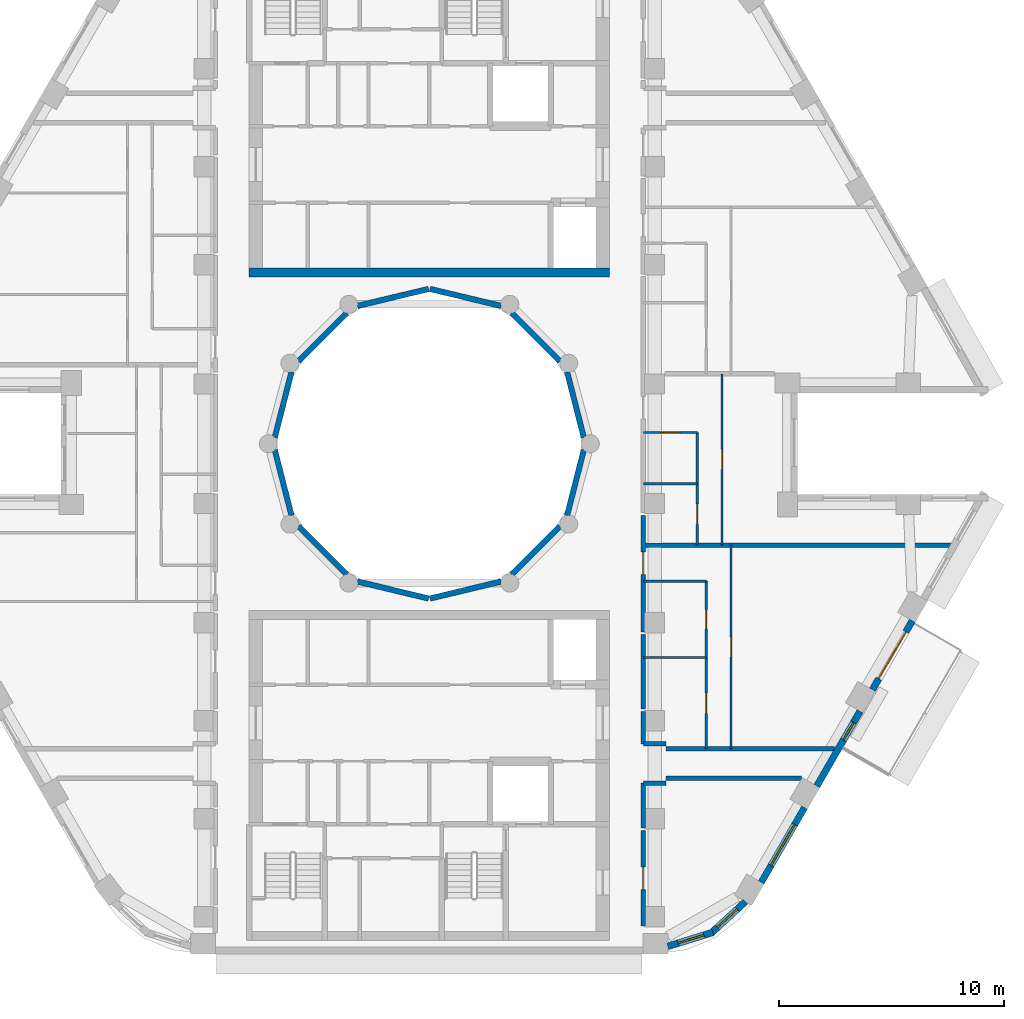
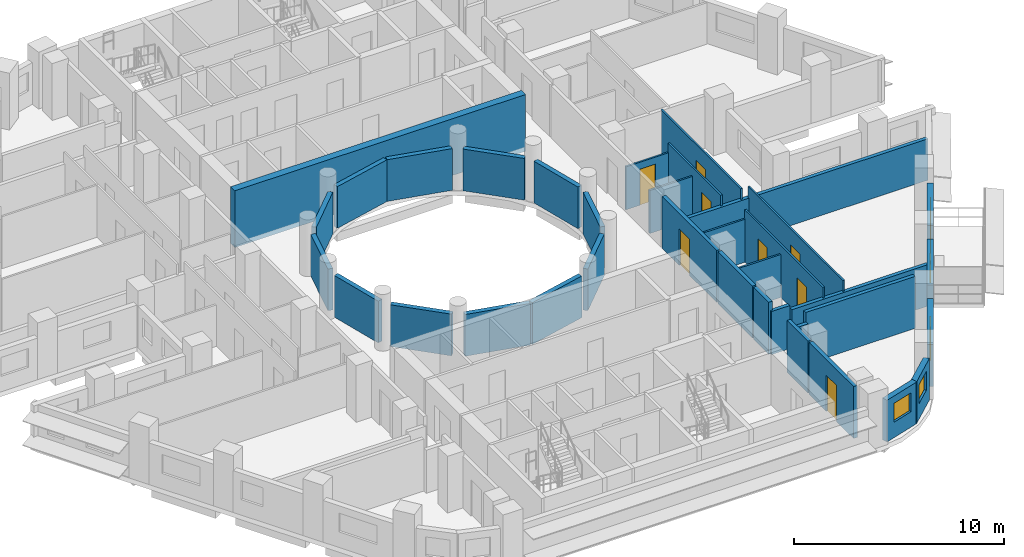
# One storey, part 5 of 14: 36 walls, 9 doors, 4 windows, 13 openings.
"""IFC4 building model written with IfcOpenShell, lengths in metres."""

from ifc_helpers import new_model, si_unit, direction, frame, frame_2d, origin, place, context, subcontext, project, spatial, rectangle, extrude, material, layer, layer_set, type_object, element, fill, save


model = new_model("IFC4")

# Units and contexts
model_context = context("Model", 3, precision=1e-05, world=origin(), true_north=direction((0.0, 1.0)))
body_context = subcontext(model_context, "Body", "Model", "MODEL_VIEW")
ifc_project = project(units=[si_unit("LENGTHUNIT", "METRE"), si_unit("AREAUNIT", "SQUARE_METRE"), si_unit("VOLUMEUNIT", "CUBIC_METRE"), si_unit("PLANEANGLEUNIT", "RADIAN"), si_unit("MASSUNIT", "GRAM", prefix="KILO")], contexts=[model_context])

# Site, building, storey
site_placement = place(None, origin())
site = spatial("IfcSite", under=ifc_project, at=site_placement, CompositionType="ELEMENT")
building_placement = place(site_placement, origin())
building = spatial("IfcBuilding", under=site, at=building_placement, Name="Nakaniwa Court", CompositionType="ELEMENT")
storey_placement = place(building_placement, frame((0.0, 0.0, 265.800048828125)))
storey = spatial("IfcBuildingStorey", under=building, at=storey_placement, Name="L70", CompositionType="ELEMENT", Elevation=265.800048828125)

# Wall, opening, door
ifc_material_1 = material(Name="Acoustic double stud partition")
ifc_layer_1 = layer(ifc_material_1, 0.199951171875)
ifc_layer_set_1 = layer_set([ifc_layer_1], Name="Acoustic double stud partition")
wall_type_1 = type_object("IfcWallType", Name="Acoustic double stud partition 200", PredefinedType="PARTITIONING", material=ifc_layer_set_1)
wall_1_placement = place(storey_placement, frame((89.5, 62.822998046875, 0.0), z_axis=(0.0, 0.0, 1.0), x_axis=(0.0, -1.0, 0.0)))
wall_1 = element("IfcWall", 1, at=wall_1_placement, inside=storey, type_object=wall_type_1, Name="Partition PW-057", PredefinedType="PARTITIONING", context=body_context, shape_type="SweptSolid", body=[
    extrude(rectangle(XDim=4.236083984375, YDim=0.199951171875, at=frame_2d((2.1181640625, 0.0))), origin(), (0.0, 0.0, 1.0), 3.02490234375),
])
opening_1_placement = place(wall_1_placement, frame((1.617919921875, 0.0, 0.0)))
opening_1 = element("IfcOpeningElement", 2, at=opening_1_placement, cuts=wall_1, Name="Opening D-02-03", PredefinedType="OPENING", context=body_context, shape_type="SweptSolid", body=[
    extrude(rectangle(XDim=1.0, YDim=2.10009765625, at=frame_2d((0.5, 1.050048828125))), frame((0.0, 0.10986328125, 0.0), z_axis=(0.0, -1.0, 0.0), x_axis=(1.0, 0.0, 0.0)), (0.0, 0.0, 1.0), 0.219970703125),
])
ifc_material_2 = material(Name="Solid core timber door set, black veneer", Category="wood")
door_type_1 = type_object("IfcDoorType", Name="Internal door 1000", OperationType="NOTDEFINED", PredefinedType="DOOR", material=ifc_material_2)
door_1_placement = place(opening_1_placement, origin())
door_1 = element("IfcDoor", 3, at=door_1_placement, inside=storey, type_object=door_type_1, Name="Door D-02-03 L70-055", OperationType="SINGLE_SWING_RIGHT", OverallHeight=2.10009765625, OverallWidth=1.0, PredefinedType="DOOR", context=body_context, shape_type="SweptSolid", body=[
    extrude(rectangle(XDim=1.0, YDim=2.10009765625, at=frame_2d((0.5, 1.050048828125))), frame((0.0, 0.02490234375, 0.0), z_axis=(0.0, -1.0, 0.0), x_axis=(1.0, 0.0, 0.0)), (0.0, 0.0, 1.0), 0.050048828125),
])
fill(opening_1, door_1)

# Walls
wall_2_placement = place(storey_placement, frame((89.5, 62.93701171875, 0.0), z_axis=(0.0, 0.0, 1.0), x_axis=(0.0, 1.0, 0.0)))
element("IfcWall", 4, at=wall_2_placement, inside=storey, type_object=wall_type_1, Name="Partition PW-058", PredefinedType="PARTITIONING", context=body_context, shape_type="SweptSolid", body=[
    extrude(rectangle(XDim=1.990966796875, YDim=0.199951171875, at=frame_2d((0.99560546875, 0.0))), origin(), (0.0, 0.0, 1.0), 3.02490234375),
])
wall_3_placement = place(storey_placement, frame((89.5, 66.672119140625, 0.0), z_axis=(0.0, 0.0, 1.0), x_axis=(0.0, 1.0, 0.0)))
element("IfcWall", 5, at=wall_3_placement, inside=storey, type_object=wall_type_1, Name="Partition PW-059", PredefinedType="PARTITIONING", context=body_context, shape_type="SweptSolid", body=[
    extrude(rectangle(XDim=1.44091796875, YDim=0.199951171875, at=frame_2d((0.720458984375, 0.0))), origin(), (0.0, 0.0, 1.0), 3.02490234375),
])
wall_4_placement = place(storey_placement, frame((89.5, 68.22705078125, 0.0), z_axis=(0.0, 0.0, 1.0), x_axis=(0.0, 1.0, 0.0)))
element("IfcWall", 6, at=wall_4_placement, inside=storey, type_object=wall_type_1, Name="Partition PW-060", PredefinedType="PARTITIONING", context=body_context, shape_type="SweptSolid", body=[
    extrude(rectangle(XDim=3.2958984375, YDim=0.199951171875, at=frame_2d((1.64794921875, 0.0))), origin(), (0.0, 0.0, 1.0), 3.02490234375),
])

# Wall, opening, door
wall_5_placement = place(storey_placement, frame((89.5, 76.822998046875, 0.0), z_axis=(0.0, 0.0, 1.0), x_axis=(0.0, -1.0, 0.0)))
wall_5 = element("IfcWall", 7, at=wall_5_placement, inside=storey, type_object=wall_type_1, Name="Partition PW-061", PredefinedType="PARTITIONING", context=body_context, shape_type="SweptSolid", body=[
    extrude(rectangle(XDim=5.18603515625, YDim=0.199951171875, at=frame_2d((2.593017578125, 0.0))), origin(), (0.0, 0.0, 1.0), 3.02490234375),
])
opening_2_placement = place(wall_5_placement, frame((1.623046875, 0.0, 0.0)))
opening_2 = element("IfcOpeningElement", 8, at=opening_2_placement, cuts=wall_5, Name="Opening D-01-01", PredefinedType="OPENING", context=body_context, shape_type="SweptSolid", body=[
    extrude(rectangle(XDim=1.0, YDim=2.10009765625, at=frame_2d((0.5, 1.050048828125))), frame((0.0, 0.10986328125, 0.0), z_axis=(0.0, -1.0, 0.0), x_axis=(1.0, 0.0, 0.0)), (0.0, 0.0, 1.0), 0.219970703125),
])
door_type_2 = type_object("IfcDoorType", Name="Flat entrance door 1000", OperationType="NOTDEFINED", PredefinedType="DOOR", material=ifc_material_2)
door_2_placement = place(opening_2_placement, origin())
door_2 = element("IfcDoor", 9, at=door_2_placement, inside=storey, type_object=door_type_2, Name="Door D-01-01 L70-029", OperationType="SINGLE_SWING_RIGHT", OverallHeight=2.10009765625, OverallWidth=1.0, PredefinedType="DOOR", context=body_context, shape_type="SweptSolid", body=[
    extrude(rectangle(XDim=1.0, YDim=2.10009765625, at=frame_2d((0.5, 1.050048828125))), frame((0.0, 0.02490234375, 0.0), z_axis=(0.0, -1.0, 0.0), x_axis=(1.0, 0.0, 0.0)), (0.0, 0.0, 1.0), 0.050048828125),
])
fill(opening_2, door_2)

# Walls
wall_6_placement = place(storey_placement, frame((89.5, 66.675048828125, 0.0), z_axis=(0.0, 0.0, 1.0), x_axis=(1.0, 0.0, 0.0)))
element("IfcWall", 10, at=wall_6_placement, inside=storey, type_object=wall_type_1, Name="Partition PW-077", PredefinedType="PARTITIONING", context=body_context, shape_type="SweptSolid", body=[
    extrude(rectangle(XDim=1.0, YDim=0.199951171875, at=frame_2d((0.5, 0.0))), origin(), (0.0, 0.0, 1.0), 2.5048828125),
])
wall_7_placement = place(storey_placement, frame((90.5, 66.449951171875, 0.0), z_axis=(0.0, 0.0, 1.0), x_axis=(1.0, 0.0, 0.0)))
element("IfcWall", 11, at=wall_7_placement, inside=storey, type_object=wall_type_1, Name="Partition PW-079", PredefinedType="PARTITIONING", context=body_context, shape_type="SweptSolid", body=[
    extrude(rectangle(XDim=7.484619140625, YDim=0.199951171875, at=frame_2d((3.7421875, 0.0))), origin(), (0.0, 0.0, 1.0), 2.405029296875),
])
wall_8_placement = place(storey_placement, frame((90.5, 65.14990234375, 0.0), z_axis=(0.0, 0.0, 1.0), x_axis=(1.0, 0.0, 0.0)))
element("IfcWall", 12, at=wall_8_placement, inside=storey, type_object=wall_type_1, Name="Partition PW-081", PredefinedType="PARTITIONING", context=body_context, shape_type="SweptSolid", body=[
    extrude(rectangle(XDim=6.02099609375, YDim=0.199951171875, at=frame_2d((3.010498046875, 0.0))), origin(), (0.0, 0.0, 1.0), 3.02490234375),
])
wall_9_placement = place(storey_placement, frame((89.5, 64.925048828125, 0.0), z_axis=(0.0, 0.0, 1.0), x_axis=(1.0, 0.0, 0.0)))
element("IfcWall", 13, at=wall_9_placement, inside=storey, type_object=wall_type_1, Name="Partition PW-083", PredefinedType="PARTITIONING", context=body_context, shape_type="SweptSolid", body=[
    extrude(rectangle(XDim=1.0, YDim=0.199951171875, at=frame_2d((0.5, 0.0))), origin(), (0.0, 0.0, 1.0), 2.5048828125),
])
wall_10_placement = place(storey_placement, frame((89.5, 75.5, 0.0), z_axis=(0.0, 0.0, 1.0), x_axis=(1.0, 0.0, 0.0)))
element("IfcWall", 14, at=wall_10_placement, inside=storey, type_object=wall_type_1, Name="Partition PW-103", PredefinedType="PARTITIONING", context=body_context, shape_type="SweptSolid", body=[
    extrude(rectangle(XDim=13.70947265625, YDim=0.199951171875, at=frame_2d((6.854736328125, 0.0))), origin(), (0.0, 0.0, 1.0), 2.405029296875),
])

# Wall, opening, window
ifc_material_3 = material(Name="Charcoal ceramic cladding")
ifc_layer_2 = layer(ifc_material_3, 0.02, Name="Ceramic cladding")
ifc_material_4 = material(Name="Ventilated air cavity")
ifc_layer_3 = layer(ifc_material_4, 0.04, ventilated=True, Name="Ventilated cavity")
ifc_material_5 = material(Name="Mineral wool insulation")
ifc_layer_4 = layer(ifc_material_5, 0.1, Name="Insulation")
ifc_material_6 = material(Name="Cement bonded sheathing board")
ifc_layer_5 = layer(ifc_material_6, 0.012, Name="Sheathing")
ifc_material_7 = material(Name="Cold-formed galvanised stud frame with mineral wool infill")
ifc_layer_6 = layer(ifc_material_7, 0.1, Name="Stud frame")
ifc_material_8 = material(Name="Fire-rated gypsum plasterboard lining")
ifc_layer_7 = layer(ifc_material_8, 0.028, Name="Lining")
ifc_layer_set_2 = layer_set([ifc_layer_2, ifc_layer_3, ifc_layer_4, ifc_layer_5, ifc_layer_6, ifc_layer_7], Name="Charcoal ceramic faced external wall system")
wall_type_2 = type_object("IfcWallType", Name="Black ceramic faced external wall 300", PredefinedType="SOLIDWALL", material=ifc_layer_set_2)
wall_11_placement = place(storey_placement, frame((90.585693359375, 57.68408203125, 0.0), z_axis=(0.0, 0.0, 1.0), x_axis=(0.954941641926, 0.296793632875, 0.0)))
wall_11 = element("IfcWall", 15, at=wall_11_placement, inside=storey, type_object=wall_type_2, Name="L70 external wall 27", PredefinedType="SOLIDWALL", context=body_context, shape_type="SweptSolid", body=[
    extrude(rectangle(XDim=2.1025390625, YDim=0.300048828125, at=frame_2d((1.05126953125, 0.0))), origin(), (0.0, 0.0, 1.0), 2.425048828125),
])
opening_3_placement = place(wall_11_placement, frame((0.490234375, 0.0, 0.89990234375)))
opening_3 = element("IfcOpeningElement", 16, at=opening_3_placement, cuts=wall_11, Name="Opening W6.26", PredefinedType="OPENING", context=body_context, shape_type="SweptSolid", body=[
    extrude(rectangle(XDim=1.199951171875, YDim=1.10009765625, at=frame_2d((0.60009765625, 0.550048828125))), frame((0.0, 0.159912109375, 0.0), z_axis=(0.0, -1.0, 0.0), x_axis=(1.0, 0.0, 0.0)), (0.0, 0.0, 1.0), 0.320068359375),
])
ifc_material_9 = material(Name="Black anodised aluminium frame with dark low-E laminated double glazing", Category="aluminium")
window_type_1 = type_object("IfcWindowType", Name="Dark glass window 1200x1100 sill 900", PartitioningType="SINGLE_PANEL", PredefinedType="WINDOW", material=ifc_material_9)
window_1_placement = place(opening_3_placement, origin())
window_1 = element("IfcWindow", 17, at=window_1_placement, inside=storey, type_object=window_type_1, Name="L70 habitable room window 27-0", OverallHeight=1.10009765625, OverallWidth=1.199951171875, PartitioningType="SINGLE_PANEL", PredefinedType="WINDOW", context=body_context, shape_type="SweptSolid", body=[
    extrude(rectangle(XDim=1.199951171875, YDim=1.10009765625, at=frame_2d((0.60009765625, 0.550048828125))), frame((0.0, 0.030029296875, 0.0), z_axis=(0.0, -1.0, 0.0), x_axis=(1.0, 0.0, 0.0)), (0.0, 0.0, 1.0), 0.06005859375),
])
fill(opening_3, window_1)

wall_12_placement = place(storey_placement, frame((92.489501953125, 58.247314453125, 0.0), z_axis=(0.0, 0.0, 1.0), x_axis=(0.734830223907, 0.678251090698, 0.0)))
wall_12 = element("IfcWall", 18, at=wall_12_placement, inside=storey, type_object=wall_type_2, Name="L70 external wall 28", PredefinedType="SOLIDWALL", context=body_context, shape_type="SweptSolid", body=[
    extrude(rectangle(XDim=2.09716796875, YDim=0.300048828125, at=frame_2d((1.048583984375, 0.0))), origin(), (0.0, 0.0, 1.0), 2.425048828125),
])
opening_4_placement = place(wall_12_placement, frame((0.409423828125, 0.0, 0.89990234375)))
opening_4 = element("IfcOpeningElement", 19, at=opening_4_placement, cuts=wall_12, Name="Opening W6.27", PredefinedType="OPENING", context=body_context, shape_type="SweptSolid", body=[
    extrude(rectangle(XDim=1.199951171875, YDim=1.10009765625, at=frame_2d((0.60009765625, 0.550048828125))), frame((0.0, 0.159912109375, 0.0), z_axis=(0.0, -1.0, 0.0), x_axis=(1.0, 0.0, 0.0)), (0.0, 0.0, 1.0), 0.320068359375),
])
window_2_placement = place(opening_4_placement, origin())
window_2 = element("IfcWindow", 20, at=window_2_placement, inside=storey, type_object=window_type_1, Name="L70 habitable room window 28-0", OverallHeight=1.10009765625, OverallWidth=1.199951171875, PartitioningType="SINGLE_PANEL", PredefinedType="WINDOW", context=body_context, shape_type="SweptSolid", body=[
    extrude(rectangle(XDim=1.199951171875, YDim=1.10009765625, at=frame_2d((0.60009765625, 0.550048828125))), frame((0.0, 0.030029296875, 0.0), z_axis=(0.0, -1.0, 0.0), x_axis=(1.0, 0.0, 0.0)), (0.0, 0.0, 1.0), 0.06005859375),
])
fill(opening_4, window_2)

wall_13_placement = place(storey_placement, frame((94.73583984375, 60.523193359375, 0.0), z_axis=(0.0, 0.0, 1.0), x_axis=(0.499984490703, 0.866034357896, 0.0)))
wall_13 = element("IfcWall", 21, at=wall_13_placement, inside=storey, type_object=wall_type_2, Name="L70 external wall 29", PredefinedType="SOLIDWALL", context=body_context, shape_type="SweptSolid", body=[
    extrude(rectangle(XDim=3.84423828125, YDim=0.300048828125, at=frame_2d((1.922119140625, 0.0))), origin(), (0.0, 0.0, 1.0), 2.425048828125),
])
opening_5_placement = place(wall_13_placement, frame((0.8720703125, 0.0, 0.89990234375)))
opening_5 = element("IfcOpeningElement", 22, at=opening_5_placement, cuts=wall_13, Name="Opening W7.28", PredefinedType="OPENING", context=body_context, shape_type="SweptSolid", body=[
    extrude(rectangle(XDim=2.10009765625, YDim=1.10009765625, at=frame_2d((1.050048828125, 0.550048828125))), frame((0.0, 0.159912109375, 0.0), z_axis=(0.0, -1.0, 0.0), x_axis=(1.0, 0.0, 0.0)), (0.0, 0.0, 1.0), 0.320068359375),
])
window_type_2 = type_object("IfcWindowType", Name="Dark glass window 2100x1100 sill 900", PartitioningType="SINGLE_PANEL", PredefinedType="WINDOW", material=ifc_material_9)
window_3_placement = place(opening_5_placement, origin())
window_3 = element("IfcWindow", 23, at=window_3_placement, inside=storey, type_object=window_type_2, Name="L70 habitable room window 29-0", OverallHeight=1.10009765625, OverallWidth=2.10009765625, PartitioningType="SINGLE_PANEL", PredefinedType="WINDOW", context=body_context, shape_type="SweptSolid", body=[
    extrude(rectangle(XDim=2.10009765625, YDim=1.10009765625, at=frame_2d((1.050048828125, 0.550048828125))), frame((0.0, 0.030029296875, 0.0), z_axis=(0.0, -1.0, 0.0), x_axis=(1.0, 0.0, 0.0)), (0.0, 0.0, 1.0), 0.06005859375),
])
fill(opening_5, window_3)

wall_14_placement = place(storey_placement, frame((97.2041015625, 64.798095703125, 0.0), z_axis=(0.0, 0.0, 1.0), x_axis=(0.499984490703, 0.866034357896, 0.0)))
wall_14 = element("IfcWall", 24, at=wall_14_placement, inside=storey, type_object=wall_type_2, Name="L70 external wall 30", PredefinedType="SOLIDWALL", context=body_context, shape_type="SweptSolid", body=[
    extrude(rectangle(XDim=3.84423828125, YDim=0.300048828125, at=frame_2d((1.922119140625, 0.0))), origin(), (0.0, 0.0, 1.0), 2.425048828125),
])
opening_6_placement = place(wall_14_placement, frame((2.36474609375, 0.0, 0.89990234375)))
opening_6 = element("IfcOpeningElement", 25, at=opening_6_placement, cuts=wall_14, Name="Opening W9.29", PredefinedType="OPENING", context=body_context, shape_type="SweptSolid", body=[
    extrude(rectangle(XDim=0.89990234375, YDim=1.10009765625, at=frame_2d((0.449951171875, 0.550048828125))), frame((0.0, 0.159912109375, 0.0), z_axis=(0.0, -1.0, 0.0), x_axis=(1.0, 0.0, 0.0)), (0.0, 0.0, 1.0), 0.320068359375),
])
window_type_3 = type_object("IfcWindowType", Name="Dark glass window 900x1100 sill 900", PartitioningType="SINGLE_PANEL", PredefinedType="WINDOW", material=ifc_material_9)
window_4_placement = place(opening_6_placement, origin())
window_4 = element("IfcWindow", 26, at=window_4_placement, inside=storey, type_object=window_type_3, Name="L70 living window 30-1", OverallHeight=1.10009765625, OverallWidth=0.89990234375, PartitioningType="SINGLE_PANEL", PredefinedType="WINDOW", context=body_context, shape_type="SweptSolid", body=[
    extrude(rectangle(XDim=0.89990234375, YDim=1.10009765625, at=frame_2d((0.449951171875, 0.550048828125))), frame((0.0, 0.030029296875, 0.0), z_axis=(0.0, -1.0, 0.0), x_axis=(1.0, 0.0, 0.0)), (0.0, 0.0, 1.0), 0.06005859375),
])
fill(opening_6, window_4)

# Wall, opening, door
wall_15_placement = place(storey_placement, frame((99.672119140625, 69.072998046875, 0.0), z_axis=(0.0, 0.0, 1.0), x_axis=(0.500010404316, 0.866019396766, 0.0)))
wall_15 = element("IfcWall", 27, at=wall_15_placement, inside=storey, type_object=wall_type_2, Name="L70 external wall 31", PredefinedType="SOLIDWALL", context=body_context, shape_type="SweptSolid", body=[
    extrude(rectangle(XDim=3.54736328125, YDim=0.300048828125, at=frame_2d((1.773681640625, 0.0))), origin(), (0.0, 0.0, 1.0), 2.425048828125),
])
opening_7_placement = place(wall_15_placement, frame((0.573486328125, 0.0, 0.0)))
opening_7 = element("IfcOpeningElement", 28, at=opening_7_placement, cuts=wall_15, Name="Opening XD13.02", PredefinedType="OPENING", context=body_context, shape_type="SweptSolid", body=[
    extrude(rectangle(XDim=2.39990234375, YDim=2.0, at=frame_2d((1.199951171875, 1.0))), frame((0.0, 0.159912109375, 0.0), z_axis=(0.0, -1.0, 0.0), x_axis=(1.0, 0.0, 0.0)), (0.0, 0.0, 1.0), 0.320068359375),
])
ifc_material_10 = material(Name="Black powder-coated aluminium frame with dark laminated glass", Category="aluminium")
door_type_3 = type_object("IfcDoorType", Name="Balcony sliding door 2400x2000", OperationType="DOUBLE_DOOR_SLIDING", PredefinedType="DOOR", material=ifc_material_10)
door_3_placement = place(opening_7_placement, origin())
door_3 = element("IfcDoor", 29, at=door_3_placement, inside=storey, type_object=door_type_3, Name="L70 balcony sliding door 02", OperationType="DOUBLE_DOOR_SLIDING", OverallHeight=2.0, OverallWidth=2.39990234375, PredefinedType="DOOR", context=body_context, shape_type="SweptSolid", body=[
    extrude(rectangle(XDim=2.39990234375, YDim=2.0, at=frame_2d((1.199951171875, 1.0))), frame((0.0, 0.02490234375, 0.0), z_axis=(0.0, -1.0, 0.0), x_axis=(1.0, 0.0, 0.0)), (0.0, 0.0, 1.0), 0.050048828125),
])
fill(opening_7, door_3)

# Walls
ifc_layer_8 = layer(ifc_material_3, 0.02, Name="Ceramic cladding")
ifc_layer_9 = layer(ifc_material_4, 0.04, ventilated=True, Name="Ventilated cavity")
ifc_layer_10 = layer(ifc_material_5, 0.075, Name="Insulation")
ifc_layer_11 = layer(ifc_material_6, 0.012, Name="Sheathing")
ifc_layer_12 = layer(ifc_material_7, 0.075, Name="Stud frame")
ifc_layer_13 = layer(ifc_material_8, 0.028, Name="Lining")
ifc_layer_set_3 = layer_set([ifc_layer_8, ifc_layer_9, ifc_layer_10, ifc_layer_11, ifc_layer_12, ifc_layer_13], Name="Charcoal ceramic faced external wall system")
wall_type_3 = type_object("IfcWallType", Name="Charcoal ceramic faced well wall 250", PredefinedType="SOLIDWALL", material=ifc_layer_set_3)
wall_16_placement = place(storey_placement, frame((86.8603515625, 79.72998046875, 0.0), z_axis=(0.0, 0.0, 1.0), x_axis=(-0.247055971283, -0.969001211069, 0.0)))
element("IfcWall", 30, at=wall_16_placement, inside=storey, type_object=wall_type_3, Name="L70 external wall 36", PredefinedType="SOLIDWALL", context=body_context, shape_type="SweptSolid", body=[
    extrude(rectangle(XDim=3.010009765625, YDim=0.25, at=frame_2d((1.5048828125, 0.0))), origin(), (0.0, 0.0, 1.0), 2.425048828125),
])
wall_17_placement = place(storey_placement, frame((85.8056640625, 76.339111328125, 0.0), z_axis=(0.0, 0.0, 1.0), x_axis=(-0.707106781187, -0.707106781187, 0.0)))
element("IfcWall", 31, at=wall_17_placement, inside=storey, type_object=wall_type_3, Name="L70 external wall 37", PredefinedType="SOLIDWALL", context=body_context, shape_type="SweptSolid", body=[
    extrude(rectangle(XDim=3.033203125, YDim=0.25, at=frame_2d((1.5166015625, 0.0))), origin(), (0.0, 0.0, 1.0), 2.425048828125),
])
for number, where, z_axis, x_axis, name in (
    (32, (83.186279296875, 73.880615234375, 0.0), (0.0, 0.0, 1.0), (-0.972773113459, -0.231759508395, 0.0), "L70 external wall 38"),
    (33, (79.970947265625, 73.12841796875, 0.0), (0.0, 0.0, 1.0), (-0.972773113459, 0.231759508395, 0.0), "L70 external wall 39"),
):
    element("IfcWall", number, at=place(storey_placement, frame(where, z_axis=z_axis, x_axis=x_axis)), inside=storey, type_object=wall_type_3, Name=name, PredefinedType="SOLIDWALL", context=body_context, shape_type="SweptSolid", body=[
        extrude(rectangle(XDim=3.24560546875, YDim=0.25, at=frame_2d((1.622802734375, 0.0))), origin(), (0.0, 0.0, 1.0), 2.425048828125),
    ])
wall_18_placement = place(storey_placement, frame((76.339111328125, 74.1943359375, 0.0), z_axis=(0.0, 0.0, 1.0), x_axis=(-0.707106781187, 0.707106781187, 0.0)))
element("IfcWall", 34, at=wall_18_placement, inside=storey, type_object=wall_type_3, Name="L70 external wall 40", PredefinedType="SOLIDWALL", context=body_context, shape_type="SweptSolid", body=[
    extrude(rectangle(XDim=3.033203125, YDim=0.25, at=frame_2d((1.5166015625, 0.0))), origin(), (0.0, 0.0, 1.0), 2.425048828125),
])
for number, where, z_axis, x_axis, name in (
    (35, (73.88330078125, 76.813232421875, 0.0), (0.0, 0.0, 1.0), (-0.247055971283, 0.969001211069, 0.0), "L70 external wall 41"),
    (36, (73.1396484375, 80.27001953125, 0.0), (0.0, 0.0, 1.0), (0.247055971283, 0.969001211069, 0.0), "L70 external wall 42"),
):
    element("IfcWall", number, at=place(storey_placement, frame(where, z_axis=z_axis, x_axis=x_axis)), inside=storey, type_object=wall_type_3, Name=name, PredefinedType="SOLIDWALL", context=body_context, shape_type="SweptSolid", body=[
        extrude(rectangle(XDim=3.010009765625, YDim=0.25, at=frame_2d((1.5048828125, 0.0))), origin(), (0.0, 0.0, 1.0), 2.425048828125),
    ])
wall_19_placement = place(storey_placement, frame((74.1943359375, 83.660888671875, 0.0), z_axis=(0.0, 0.0, 1.0), x_axis=(0.707106781187, 0.707106781187, 0.0)))
element("IfcWall", 37, at=wall_19_placement, inside=storey, type_object=wall_type_3, Name="L70 external wall 43", PredefinedType="SOLIDWALL", context=body_context, shape_type="SweptSolid", body=[
    extrude(rectangle(XDim=3.033203125, YDim=0.25, at=frame_2d((1.5166015625, 0.0))), origin(), (0.0, 0.0, 1.0), 2.425048828125),
])
for number, where, z_axis, x_axis, name in (
    (38, (76.813720703125, 86.119384765625, 0.0), (0.0, 0.0, 1.0), (0.972773113459, 0.231759508395, 0.0), "L70 external wall 44"),
    (39, (80.029052734375, 86.87158203125, 0.0), (0.0, 0.0, 1.0), (0.972773113459, -0.231759508395, 0.0), "L70 external wall 45"),
):
    element("IfcWall", number, at=place(storey_placement, frame(where, z_axis=z_axis, x_axis=x_axis)), inside=storey, type_object=wall_type_3, Name=name, PredefinedType="SOLIDWALL", context=body_context, shape_type="SweptSolid", body=[
        extrude(rectangle(XDim=3.24560546875, YDim=0.25, at=frame_2d((1.622802734375, 0.0))), origin(), (0.0, 0.0, 1.0), 2.425048828125),
    ])
wall_20_placement = place(storey_placement, frame((83.660888671875, 85.8056640625, 0.0), z_axis=(0.0, 0.0, 1.0), x_axis=(0.707106781187, -0.707106781187, 0.0)))
element("IfcWall", 40, at=wall_20_placement, inside=storey, type_object=wall_type_3, Name="L70 external wall 46", PredefinedType="SOLIDWALL", context=body_context, shape_type="SweptSolid", body=[
    extrude(rectangle(XDim=3.033203125, YDim=0.25, at=frame_2d((1.5166015625, 0.0))), origin(), (0.0, 0.0, 1.0), 2.425048828125),
])
wall_21_placement = place(storey_placement, frame((86.11669921875, 83.186767578125, 0.0), z_axis=(0.0, 0.0, 1.0), x_axis=(0.247055971283, -0.969001211069, 0.0)))
element("IfcWall", 41, at=wall_21_placement, inside=storey, type_object=wall_type_3, Name="L70 external wall 47", PredefinedType="SOLIDWALL", context=body_context, shape_type="SweptSolid", body=[
    extrude(rectangle(XDim=3.010009765625, YDim=0.25, at=frame_2d((1.5048828125, 0.0))), origin(), (0.0, 0.0, 1.0), 2.425048828125),
])
ifc_material_11 = material(Name="Concrete C80/100", Category="concrete")
ifc_layer_14 = layer(ifc_material_11, 0.39990234375)
ifc_layer_set_4 = layer_set([ifc_layer_14], Name="Concrete C80/100")
wall_type_4 = type_object("IfcWallType", Name="Concrete core well wall 400 C80", PredefinedType="SHEAR", material=ifc_layer_set_4)
wall_22_placement = place(storey_placement, frame((72.00390625, 87.60009765625, -0.275146484375), z_axis=(0.0, 0.0, 1.0), x_axis=(1.0, 0.0, 0.0)))
element("IfcWall", 42, at=wall_22_placement, inside=storey, type_object=wall_type_4, Name="Core wall SW-126", PredefinedType="SHEAR", context=body_context, shape_type="SweptSolid", body=[
    extrude(rectangle(XDim=15.9921875, YDim=0.39990234375, at=frame_2d((7.99609375, 0.0))), origin(), (0.0, 0.0, 1.0), 3.300048828125),
])
ifc_material_12 = material(Name="Single stud plasterboard partition")
ifc_layer_15 = layer(ifc_material_12, 0.10009765625)
ifc_layer_set_5 = layer_set([ifc_layer_15], Name="Single stud plasterboard partition")
wall_type_5 = type_object("IfcWallType", Name="Single stud plasterboard partition 100", PredefinedType="PARTITIONING", material=ifc_layer_set_5)
wall_23_placement = place(storey_placement, frame((89.5, 70.513916015625, 0.0), z_axis=(0.0, 0.0, 1.0), x_axis=(1.0, 0.0, 0.0)))
element("IfcWall", 43, at=wall_23_placement, inside=storey, type_object=wall_type_5, Name="Partition PW-097", PredefinedType="PARTITIONING", context=body_context, shape_type="SweptSolid", body=[
    extrude(rectangle(XDim=2.800048828125, YDim=0.10009765625, at=frame_2d((1.39990234375, 0.0))), origin(), (0.0, 0.0, 1.0), 2.5048828125),
])

# Wall, openings, doors
wall_24_placement = place(storey_placement, frame((92.300048828125, 66.449951171875, 0.0), z_axis=(0.0, 0.0, 1.0), x_axis=(0.0, 1.0, 0.0)))
wall_24 = element("IfcWall", 44, at=wall_24_placement, inside=storey, type_object=wall_type_5, Name="Partition PW-098", PredefinedType="PARTITIONING", context=body_context, shape_type="SweptSolid", body=[
    extrude(rectangle(XDim=7.449951171875, YDim=0.10009765625, at=frame_2d((3.72509765625, 0.0))), origin(), (0.0, 0.0, 1.0), 3.02490234375),
])
opening_8_placement = place(wall_24_placement, frame((1.58203125, 0.0, 0.0)))
opening_8 = element("IfcOpeningElement", 45, at=opening_8_placement, cuts=wall_24, Name="Opening D-33-01", PredefinedType="OPENING", context=body_context, shape_type="SweptSolid", body=[
    extrude(rectangle(XDim=0.89990234375, YDim=2.10009765625, at=frame_2d((0.449951171875, 1.050048828125))), frame((0.0, 0.06005859375, 0.0), z_axis=(0.0, -1.0, 0.0), x_axis=(1.0, 0.0, 0.0)), (0.0, 0.0, 1.0), 0.1201171875),
])
opening_9_placement = place(wall_24_placement, frame((5.33203125, 0.0, 0.0)))
opening_9 = element("IfcOpeningElement", 46, at=opening_9_placement, cuts=wall_24, Name="Opening D-03-01", PredefinedType="OPENING", context=body_context, shape_type="SweptSolid", body=[
    extrude(rectangle(XDim=0.85009765625, YDim=2.10009765625, at=frame_2d((0.425048828125, 1.050048828125))), frame((0.0, 0.06005859375, 0.0), z_axis=(0.0, -1.0, 0.0), x_axis=(1.0, 0.0, 0.0)), (0.0, 0.0, 1.0), 0.1201171875),
])
ifc_material_13 = material(Name="Moisture sealed timber door set", Category="wood")
door_type_4 = type_object("IfcDoorType", Name="Bathroom door 850", OperationType="NOTDEFINED", PredefinedType="DOOR", material=ifc_material_13)
door_4_placement = place(opening_9_placement, origin())
door_4 = element("IfcDoor", 47, at=door_4_placement, inside=storey, type_object=door_type_4, Name="Door D-03-01 L70-031", OperationType="SINGLE_SWING_RIGHT", OverallHeight=2.10009765625, OverallWidth=0.85009765625, PredefinedType="DOOR", context=body_context, shape_type="SweptSolid", body=[
    extrude(rectangle(XDim=0.85009765625, YDim=2.10009765625, at=frame_2d((0.425048828125, 1.050048828125))), frame((0.0, 0.02490234375, 0.0), z_axis=(0.0, -1.0, 0.0), x_axis=(1.0, 0.0, 0.0)), (0.0, 0.0, 1.0), 0.050048828125),
])
fill(opening_9, door_4)
door_type_5 = type_object("IfcDoorType", Name="Internal door 900", OperationType="NOTDEFINED", PredefinedType="DOOR", material=ifc_material_2)
door_5_placement = place(opening_8_placement, origin())
door_5 = element("IfcDoor", 48, at=door_5_placement, inside=storey, type_object=door_type_5, Name="Door D-33-01 L70-030", OperationType="SINGLE_SWING_LEFT", OverallHeight=2.10009765625, OverallWidth=0.89990234375, PredefinedType="DOOR", context=body_context, shape_type="SweptSolid", body=[
    extrude(rectangle(XDim=0.89990234375, YDim=2.10009765625, at=frame_2d((0.449951171875, 1.050048828125))), frame((0.0, 0.02490234375, 0.0), z_axis=(0.0, -1.0, 0.0), x_axis=(1.0, 0.0, 0.0)), (0.0, 0.0, 1.0), 0.050048828125),
])
fill(opening_8, door_5)

# Wall
wall_25_placement = place(storey_placement, frame((89.5, 73.89990234375, 0.0), z_axis=(0.0, 0.0, 1.0), x_axis=(1.0, 0.0, 0.0)))
element("IfcWall", 49, at=wall_25_placement, inside=storey, type_object=wall_type_5, Name="Partition PW-100", PredefinedType="PARTITIONING", context=body_context, shape_type="SweptSolid", body=[
    extrude(rectangle(XDim=2.800048828125, YDim=0.10009765625, at=frame_2d((1.39990234375, 0.0))), origin(), (0.0, 0.0, 1.0), 2.5048828125),
])

# Wall, opening, door
wall_26_placement = place(storey_placement, frame((93.39990234375, 75.5, 0.0), z_axis=(0.0, 0.0, 1.0), x_axis=(0.0, -1.0, 0.0)))
wall_26 = element("IfcWall", 50, at=wall_26_placement, inside=storey, type_object=wall_type_5, Name="Partition PW-101", PredefinedType="PARTITIONING", context=body_context, shape_type="SweptSolid", body=[
    extrude(rectangle(XDim=9.050048828125, YDim=0.10009765625, at=frame_2d((4.52490234375, 0.0))), origin(), (0.0, 0.0, 1.0), 3.02490234375),
])
opening_10_placement = place(wall_26_placement, frame((4.074951171875, 0.0, 0.0)))
opening_10 = element("IfcOpeningElement", 51, at=opening_10_placement, cuts=wall_26, Name="Opening D-33-02", PredefinedType="OPENING", context=body_context, shape_type="SweptSolid", body=[
    extrude(rectangle(XDim=0.89990234375, YDim=2.10009765625, at=frame_2d((0.449951171875, 1.050048828125))), frame((0.0, 0.06005859375, 0.0), z_axis=(0.0, -1.0, 0.0), x_axis=(1.0, 0.0, 0.0)), (0.0, 0.0, 1.0), 0.1201171875),
])
door_6_placement = place(opening_10_placement, origin())
door_6 = element("IfcDoor", 52, at=door_6_placement, inside=storey, type_object=door_type_5, Name="Door D-33-02 L70-032", OperationType="SINGLE_SWING_LEFT", OverallHeight=2.10009765625, OverallWidth=0.89990234375, PredefinedType="DOOR", context=body_context, shape_type="SweptSolid", body=[
    extrude(rectangle(XDim=0.89990234375, YDim=2.10009765625, at=frame_2d((0.449951171875, 1.050048828125))), frame((0.0, 0.02490234375, 0.0), z_axis=(0.0, -1.0, 0.0), x_axis=(1.0, 0.0, 0.0)), (0.0, 0.0, 1.0), 0.050048828125),
])
fill(opening_10, door_6)

# Wall
wall_27_placement = place(storey_placement, frame((89.5, 78.22705078125, 0.0), z_axis=(0.0, 0.0, 1.0), x_axis=(1.0, 0.0, 0.0)))
element("IfcWall", 53, at=wall_27_placement, inside=storey, type_object=wall_type_5, Name="Partition PW-104", PredefinedType="PARTITIONING", context=body_context, shape_type="SweptSolid", body=[
    extrude(rectangle(XDim=2.39990234375, YDim=0.10009765625, at=frame_2d((1.199951171875, 0.0))), origin(), (0.0, 0.0, 1.0), 2.5048828125),
])

# Wall, opening, door
wall_28_placement = place(storey_placement, frame((91.89990234375, 75.5, 0.0), z_axis=(0.0, 0.0, 1.0), x_axis=(0.0, 1.0, 0.0)))
wall_28 = element("IfcWall", 54, at=wall_28_placement, inside=storey, type_object=wall_type_5, Name="Partition PW-105", PredefinedType="PARTITIONING", context=body_context, shape_type="SweptSolid", body=[
    extrude(rectangle(XDim=5.0, YDim=0.10009765625, at=frame_2d((2.5, 0.0))), origin(), (0.0, 0.0, 1.0), 3.02490234375),
])
opening_11_placement = place(wall_28_placement, frame((0.9140625, 0.0, 0.0)))
opening_11 = element("IfcOpeningElement", 55, at=opening_11_placement, cuts=wall_28, Name="Opening D-33-03", PredefinedType="OPENING", context=body_context, shape_type="SweptSolid", body=[
    extrude(rectangle(XDim=0.89990234375, YDim=2.10009765625, at=frame_2d((0.449951171875, 1.050048828125))), frame((0.0, 0.06005859375, 0.0), z_axis=(0.0, -1.0, 0.0), x_axis=(1.0, 0.0, 0.0)), (0.0, 0.0, 1.0), 0.1201171875),
])
door_7_placement = place(opening_11_placement, origin())
door_7 = element("IfcDoor", 56, at=door_7_placement, inside=storey, type_object=door_type_5, Name="Door D-33-03 L70-034", OperationType="SINGLE_SWING_LEFT", OverallHeight=2.10009765625, OverallWidth=0.89990234375, PredefinedType="DOOR", context=body_context, shape_type="SweptSolid", body=[
    extrude(rectangle(XDim=0.89990234375, YDim=2.10009765625, at=frame_2d((0.449951171875, 1.050048828125))), frame((0.0, 0.02490234375, 0.0), z_axis=(0.0, -1.0, 0.0), x_axis=(1.0, 0.0, 0.0)), (0.0, 0.0, 1.0), 0.050048828125),
])
fill(opening_11, door_7)

wall_29_placement = place(storey_placement, frame((91.89990234375, 80.5, 0.0), z_axis=(0.0, 0.0, 1.0), x_axis=(-1.0, 0.0, 0.0)))
wall_29 = element("IfcWall", 57, at=wall_29_placement, inside=storey, type_object=wall_type_5, Name="Partition PW-106", PredefinedType="PARTITIONING", context=body_context, shape_type="SweptSolid", body=[
    extrude(rectangle(XDim=2.39990234375, YDim=0.10009765625, at=frame_2d((1.199951171875, 0.0))), origin(), (0.0, 0.0, 1.0), 2.5048828125),
])
opening_12_placement = place(wall_29_placement, frame((0.77490234375, 0.0, 0.0)))
opening_12 = element("IfcOpeningElement", 58, at=opening_12_placement, cuts=wall_29, Name="Opening D-03-02", PredefinedType="OPENING", context=body_context, shape_type="SweptSolid", body=[
    extrude(rectangle(XDim=0.85009765625, YDim=2.10009765625, at=frame_2d((0.425048828125, 1.050048828125))), frame((0.0, 0.06005859375, 0.0), z_axis=(0.0, -1.0, 0.0), x_axis=(1.0, 0.0, 0.0)), (0.0, 0.0, 1.0), 0.1201171875),
])
door_8_placement = place(opening_12_placement, origin())
door_8 = element("IfcDoor", 59, at=door_8_placement, inside=storey, type_object=door_type_4, Name="Door D-03-02 L70-035", OperationType="SINGLE_SWING_RIGHT", OverallHeight=2.10009765625, OverallWidth=0.85009765625, PredefinedType="DOOR", context=body_context, shape_type="SweptSolid", body=[
    extrude(rectangle(XDim=0.85009765625, YDim=2.10009765625, at=frame_2d((0.425048828125, 1.050048828125))), frame((0.0, 0.02490234375, 0.0), z_axis=(0.0, -1.0, 0.0), x_axis=(1.0, 0.0, 0.0)), (0.0, 0.0, 1.0), 0.050048828125),
])
fill(opening_12, door_8)

wall_30_placement = place(storey_placement, frame((93.0, 83.10009765625, 0.0), z_axis=(0.0, 0.0, 1.0), x_axis=(0.0, -1.0, 0.0)))
wall_30 = element("IfcWall", 60, at=wall_30_placement, inside=storey, type_object=wall_type_5, Name="Partition PW-107", PredefinedType="PARTITIONING", context=body_context, shape_type="SweptSolid", body=[
    extrude(rectangle(XDim=7.60009765625, YDim=0.10009765625, at=frame_2d((3.800048828125, 0.0))), origin(), (0.0, 0.0, 1.0), 3.02490234375),
])
opening_13_placement = place(wall_30_placement, frame((3.35009765625, 0.0, 0.0)))
opening_13 = element("IfcOpeningElement", 61, at=opening_13_placement, cuts=wall_30, Name="Opening D-33-04", PredefinedType="OPENING", context=body_context, shape_type="SweptSolid", body=[
    extrude(rectangle(XDim=0.89990234375, YDim=2.10009765625, at=frame_2d((0.449951171875, 1.050048828125))), frame((0.0, 0.06005859375, 0.0), z_axis=(0.0, -1.0, 0.0), x_axis=(1.0, 0.0, 0.0)), (0.0, 0.0, 1.0), 0.1201171875),
])
door_9_placement = place(opening_13_placement, origin())
door_9 = element("IfcDoor", 62, at=door_9_placement, inside=storey, type_object=door_type_5, Name="Door D-33-04 L70-036", OperationType="SINGLE_SWING_LEFT", OverallHeight=2.10009765625, OverallWidth=0.89990234375, PredefinedType="DOOR", context=body_context, shape_type="SweptSolid", body=[
    extrude(rectangle(XDim=0.89990234375, YDim=2.10009765625, at=frame_2d((0.449951171875, 1.050048828125))), frame((0.0, 0.02490234375, 0.0), z_axis=(0.0, -1.0, 0.0), x_axis=(1.0, 0.0, 0.0)), (0.0, 0.0, 1.0), 0.050048828125),
])
fill(opening_13, door_9)

save(model, "model.ifc")
